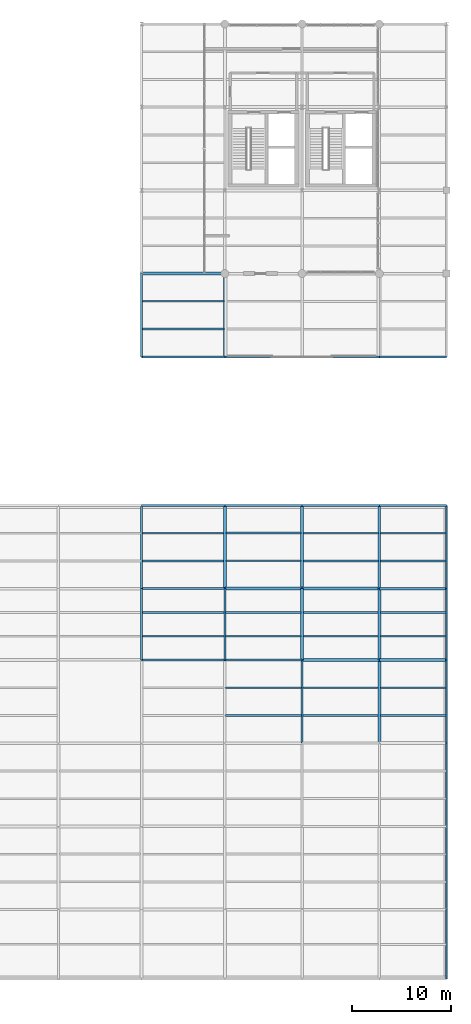
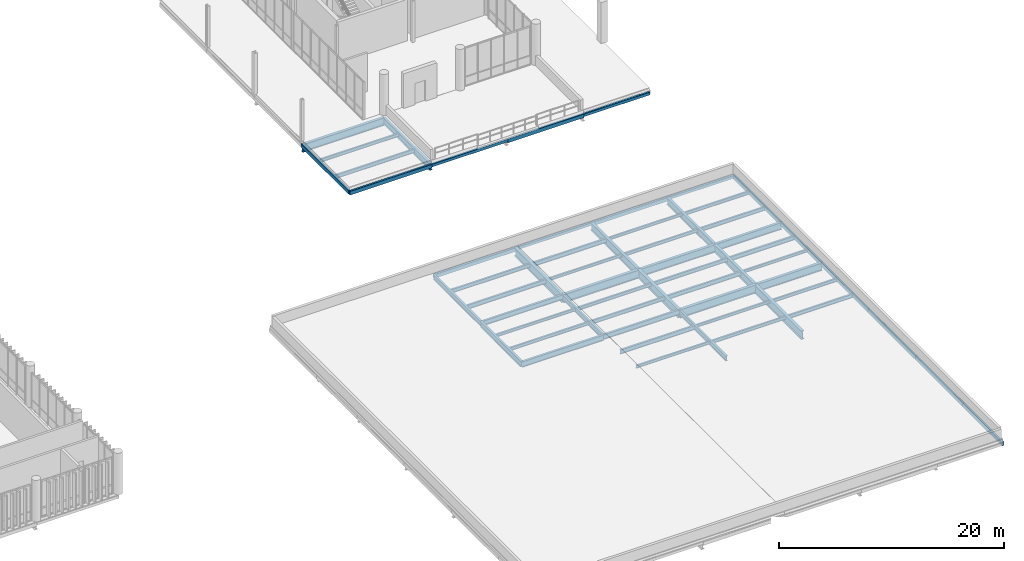
# One storey, part 36 of 68: 59 beams.
"""IFC4 building model written with IfcOpenShell, lengths in metres."""

import ifcopenshell
import ifcopenshell.guid

model = None  # the IFC model being written
_history = None  # IfcOwnerHistory: only IFC2X3 demands one
_inside = {}  # id of a spatial element -> (the spatial element, [elements in it])
_under = {}  # id of a project, library or spatial element -> (it, [spatial elements below it])
_declared = {}  # id of a project -> (the project, [libraries it declares])
_typed = {}  # id of a type object -> (the type object, [elements of that type])
_made_of = {}  # id of a material, layer set ... -> (it, [elements and type objects made of it])


def new_model(schema):
    """Start an empty IFC model of exactly this schema.

    Asked for "IFC4X3", IfcOpenShell would pick the latest addendum, in which some entities
    have other attributes; the version numbers below select the first issue.
    IFC2X3 requires an IfcOwnerHistory on every rooted entity: one is made here for all.
    """
    global model, _history
    if schema == "IFC4X3":
        model = ifcopenshell.file(schema_version=(4, 3, 0, 0))
    else:
        model = ifcopenshell.file(schema=schema)
    _inside.clear()
    _under.clear()
    _declared.clear()
    _typed.clear()
    _made_of.clear()
    _history = None
    if model.schema == "IFC2X3":
        org = make("IfcOrganization", Name="unknown")
        user = make(
            "IfcPersonAndOrganization",
            ThePerson=make("IfcPerson", FamilyName="unknown"),
            TheOrganization=org,
        )
        app = make(
            "IfcApplication",
            ApplicationDeveloper=org,
            Version="unknown",
            ApplicationFullName="unknown",
            ApplicationIdentifier="unknown",
        )
        _history = make(
            "IfcOwnerHistory",
            OwningUser=user,
            OwningApplication=app,
            ChangeAction="ADDED",
            CreationDate=0,
        )
    return model


def make(cls, **values):
    """One entity of the class cls with the attributes given. An attribute that is None is left unset."""
    return model.create_entity(
        cls, **{name: value for name, value in values.items() if value is not None}
    )


def rooted(cls, **values):
    """An entity with a GlobalId (a new one), such as an element, a storey or a relation."""
    return make(cls, GlobalId=ifcopenshell.guid.new(), OwnerHistory=_history, **values)


def si_unit(unit_type, name, prefix=None):
    """IfcSIUnit, for example si_unit("LENGTHUNIT", "METRE", prefix="MILLI")."""
    return make("IfcSIUnit", UnitType=unit_type, Prefix=prefix, Name=name)


def assignment(units):
    """IfcUnitAssignment: the units of a project."""
    return None if units is None else make("IfcUnitAssignment", Units=units)


def point(xyz):
    """IfcCartesianPoint."""
    return None if xyz is None else make("IfcCartesianPoint", Coordinates=xyz)


def direction(xyz):
    """IfcDirection."""
    return None if xyz is None else make("IfcDirection", DirectionRatios=xyz)


def frame(location, z_axis=None, x_axis=None):
    """IfcAxis2Placement3D, a coordinate frame: its origin and axes. An axis left out is left unset."""
    return make(
        "IfcAxis2Placement3D",
        Location=point(location),
        Axis=direction(z_axis),
        RefDirection=direction(x_axis),
    )


def frame_2d(location, x_axis=None):
    """IfcAxis2Placement2D, a coordinate frame in the plane: its origin and x axis."""
    return make(
        "IfcAxis2Placement2D", Location=point(location), RefDirection=direction(x_axis)
    )


def origin_with_axes():
    """The frame at (0, 0, 0) with the z axis (0, 0, 1) and the x axis (1, 0, 0) written out."""
    return frame((0.0, 0.0, 0.0), z_axis=(0.0, 0.0, 1.0), x_axis=(1.0, 0.0, 0.0))


def origin_2d_with_axis():
    """The frame at (0, 0) in the plane with the x axis (1, 0) written out."""
    return frame_2d((0.0, 0.0), x_axis=(1.0, 0.0))


def place(relative_to, where):
    """IfcLocalPlacement: puts the frame where relative to a parent placement (None: the world)."""
    return make(
        "IfcLocalPlacement", PlacementRelTo=relative_to, RelativePlacement=where
    )


def context(
    kind, dimensions, precision=None, world=None, true_north=None, identifier=None
):
    """IfcGeometricRepresentationContext, for example the 3D "Model" context."""
    return make(
        "IfcGeometricRepresentationContext",
        ContextIdentifier=identifier,
        ContextType=kind,
        CoordinateSpaceDimension=dimensions,
        Precision=precision,
        WorldCoordinateSystem=world,
        TrueNorth=true_north,
    )


def subcontext(parent, identifier, kind, view, scale=None):
    """IfcGeometricRepresentationSubContext, for example "Body" below "Model"."""
    return make(
        "IfcGeometricRepresentationSubContext",
        ContextIdentifier=identifier,
        ContextType=kind,
        ParentContext=parent,
        TargetScale=scale,
        TargetView=view,
    )


def project(units=None, contexts=None):
    """IfcProject with its units and contexts."""
    return rooted(
        "IfcProject",
        Name="project",
        RepresentationContexts=contexts,
        UnitsInContext=assignment(units),
    )


def spatial(cls, under=None, at=None, **own):
    """A site, building, storey or space (cls), placed at a placement, below another one or the project."""
    s = rooted(cls, ObjectPlacement=at, **own)
    if under is not None:
        _under.setdefault(under.id(), (under, []))[1].append(s)
    return s


def profile(cls, at=None, kind="AREA", **sizes):
    """A parametric profile (cls). Its sizes go by their IFC names, for example OverallWidth=200.0."""
    return make(cls, ProfileType=kind, Position=at, **sizes)


def hollow_rectangle(**sizes):
    """IfcRectangleHollowProfileDef."""
    return profile("IfcRectangleHollowProfileDef", **sizes)


def i_section(**sizes):
    """IfcIShapeProfileDef."""
    return profile("IfcIShapeProfileDef", **sizes)


def extrude(swept, where, along, depth):
    """IfcExtrudedAreaSolid: the profile swept, set in the frame where, extruded along a direction by depth."""
    return make(
        "IfcExtrudedAreaSolid",
        SweptArea=swept,
        Position=where,
        ExtrudedDirection=direction(along),
        Depth=depth,
    )


def shape(context_of_items, identifier, shape_type, items):
    """IfcShapeRepresentation: the items that make up one representation, for example the "Body"."""
    return make(
        "IfcShapeRepresentation",
        ContextOfItems=context_of_items,
        RepresentationIdentifier=identifier,
        RepresentationType=shape_type,
        Items=items,
    )


def material(Name=None, Category=None):
    """IfcMaterial."""
    return make("IfcMaterial", Name=Name, Category=Category)


def material_profile(
    of_material, cross_section, Name=None, Category=None, Priority=None
):
    """IfcMaterialProfile: a cross section and its material."""
    return make(
        "IfcMaterialProfile",
        Name=Name,
        Material=of_material,
        Profile=cross_section,
        Priority=Priority,
        Category=Category,
    )


def profile_set(profiles, Name=None, composite=None):
    """IfcMaterialProfileSet."""
    return make(
        "IfcMaterialProfileSet",
        Name=Name,
        MaterialProfiles=profiles,
        CompositeProfile=composite,
    )


def made_of(thing, what):
    """Note that an element or type object is made of a material, layer set ...; save() writes the relation."""
    if what is not None:
        _made_of.setdefault(what.id(), (what, []))[1].append(thing)
    return thing


def type_object(cls, material=None, **own):
    """A type object (cls), such as IfcWallType, which elements share."""
    return made_of(rooted(cls, **own), material)


def element(
    cls,
    number,
    at=None,
    inside=None,
    cuts=None,
    type_object=None,
    material=None,
    context=None,
    identifier="Body",
    shape_type=None,
    held_by="IfcProductDefinitionShape",
    body=None,
    shapes=None,
    **own,
):
    """One element of the class cls, such as IfcWall. Its Tag is "e" and its number.

    at: its placement. inside: the storey or other place that contains it. cuts: it is an
    opening in that element (IfcRelVoidsElement). A single representation is given by context,
    identifier, shape_type and body (its items); several are given by shapes. held_by: the class
    of the entity that holds the representations. save() writes the other relations.
    """
    e = rooted(cls, Tag="e%d" % number, ObjectPlacement=at, **own)
    if body is not None:
        shapes = [shape(context, identifier, shape_type, body)]
    if shapes is not None:
        e.Representation = make(held_by, Representations=shapes)
    if inside is not None:
        _inside.setdefault(inside.id(), (inside, []))[1].append(e)
    if cuts is not None:
        rooted(
            "IfcRelVoidsElement", RelatingBuildingElement=cuts, RelatedOpeningElement=e
        )
    if type_object is not None:
        _typed.setdefault(type_object.id(), (type_object, []))[1].append(e)
    return made_of(e, material)


def aggregate(whole, parts):
    """IfcRelAggregates: a whole, such as a stair, and the parts it consists of."""
    return rooted("IfcRelAggregates", RelatingObject=whole, RelatedObjects=parts)


def save(model, path):
    """Write the relations noted so far, then the file.

    IfcRelAggregates (storeys below a building ...), IfcRelContainedInSpatialStructure (elements
    in a storey), IfcRelDefinesByType, IfcRelAssociatesMaterial and IfcRelDeclares: one each for
    every whole, place, type object, material and project.
    """
    for whole, parts in _under.values():
        aggregate(whole, parts)
    for where, things in _inside.values():
        rooted(
            "IfcRelContainedInSpatialStructure",
            RelatedElements=things,
            RelatingStructure=where,
        )
    for kind, things in _typed.values():
        rooted("IfcRelDefinesByType", RelatedObjects=things, RelatingType=kind)
    for what, things in _made_of.values():
        rooted("IfcRelAssociatesMaterial", RelatedObjects=things, RelatingMaterial=what)
    for by, libraries in _declared.values():
        rooted("IfcRelDeclares", RelatingContext=by, RelatedDefinitions=libraries)
    model.write(path)


model = new_model("IFC4")

# Units and contexts
model_context = context("Model", 3, precision=1e-05, world=origin_with_axes(), true_north=direction((0.0, 1.0)))
body_context = subcontext(model_context, "Body", "Model", "MODEL_VIEW")
ifc_project = project(units=[si_unit("LENGTHUNIT", "METRE"), si_unit("AREAUNIT", "SQUARE_METRE"), si_unit("VOLUMEUNIT", "CUBIC_METRE"), si_unit("PLANEANGLEUNIT", "RADIAN"), si_unit("MASSUNIT", "GRAM", prefix="KILO"), si_unit("THERMODYNAMICTEMPERATUREUNIT", "KELVIN")], contexts=[model_context])

# Site, building, storey
site_placement = place(None, origin_with_axes())
site = spatial("IfcSite", under=ifc_project, at=site_placement, CompositionType="ELEMENT")
building_placement = place(site_placement, origin_with_axes())
building = spatial("IfcBuilding", under=site, at=building_placement, Name="Montbau Bow Law Courts", CompositionType="ELEMENT")
storey_placement = place(building_placement, frame((0.0, 0.0, 20.4), z_axis=(0.0, 0.0, 1.0), x_axis=(1.0, 0.0, 0.0)))
storey = spatial("IfcBuildingStorey", under=building, at=storey_placement, Name="L04", CompositionType="ELEMENT", Elevation=20.4)

# Beams
ifc_material_1 = material(Name="Steel CSA G40.21 Grade 350W (350 MPa)", Category="steel")
ifc_material_profile_1 = material_profile(ifc_material_1, i_section(OverallWidth=0.306, OverallDepth=0.919, WebThickness=0.0173, FlangeThickness=0.0279, at=origin_2d_with_axis()), Name="W920X253", Category="Main", Priority=0)
ifc_profile_set_1 = profile_set([ifc_material_profile_1], Name="Steel CSA G40.21 Grade 350W (350 MPa)")
beam_type_1 = type_object("IfcBeamType", Name="B-FLR-01", PredefinedType="BEAM", material=ifc_profile_set_1)
for number, where, z_axis, x_axis, name in (
    (1, (154.8, 39.0, 19.651), (1.0, 0.0, 0.0), (0.0, 1.0, 0.0), "BM-L04-S1737:bm2_1740"),
    (2, (147.0, 46.2, 19.651), (1.0, 0.0, 0.0), (0.0, 1.0, 0.0), "BM-L04-S1742:bm2_1745"),
):
    element("IfcBeam", number, at=place(None, frame(where, z_axis=z_axis, x_axis=x_axis)), inside=storey, type_object=beam_type_1, Name=name, PredefinedType="BEAM", context=body_context, shape_type="SweptSolid", body=[
        extrude(i_section(OverallWidth=0.306, OverallDepth=0.919, WebThickness=0.0173, FlangeThickness=0.0279, at=origin_2d_with_axis()), origin_with_axes(), (0.0, 0.0, 1.0), 7.8),
    ])
beam_1_placement = place(None, frame((147.0, 46.2, 19.651), z_axis=(0.0, 1.0, 0.0), x_axis=(-1.0, 0.0, 0.0)))
element("IfcBeam", 3, at=beam_1_placement, inside=storey, type_object=beam_type_1, Name="BM-L04-S1774:bm2_1777", PredefinedType="BEAM", context=body_context, shape_type="SweptSolid", body=[
    extrude(i_section(OverallWidth=0.306, OverallDepth=0.919, WebThickness=0.0173, FlangeThickness=0.0279, at=origin_2d_with_axis()), origin_with_axes(), (0.0, 0.0, 1.0), 8.4),
])
beam_2_placement = place(None, frame((154.8, 39.0, 19.651), z_axis=(0.0, 1.0, 0.0), x_axis=(-1.0, 0.0, 0.0)))
element("IfcBeam", 4, at=beam_2_placement, inside=storey, type_object=beam_type_1, Name="BM-L04-S1779:bm2_1782", PredefinedType="BEAM", context=body_context, shape_type="SweptSolid", body=[
    extrude(i_section(OverallWidth=0.306, OverallDepth=0.919, WebThickness=0.0173, FlangeThickness=0.0279, at=origin_2d_with_axis()), origin_with_axes(), (0.0, 0.0, 1.0), 7.2),
])
beam_3_placement = place(None, frame((162.6, 30.6, 19.651), z_axis=(0.0, 1.0, 0.0), x_axis=(-1.0, 0.0, 0.0)))
element("IfcBeam", 5, at=beam_3_placement, inside=storey, type_object=beam_type_1, Name="BM-L04-S1784:bm2_1787", PredefinedType="BEAM", context=body_context, shape_type="SweptSolid", body=[
    extrude(i_section(OverallWidth=0.306, OverallDepth=0.919, WebThickness=0.0173, FlangeThickness=0.0279, at=origin_2d_with_axis()), origin_with_axes(), (0.0, 0.0, 1.0), 8.4),
])
ifc_material_profile_2 = material_profile(ifc_material_1, i_section(OverallWidth=0.293, OverallDepth=0.846, WebThickness=0.0154, FlangeThickness=0.0244, at=origin_2d_with_axis()), Name="W840X210", Category="Main", Priority=0)
ifc_profile_set_2 = profile_set([ifc_material_profile_2], Name="Steel CSA G40.21 Grade 350W (350 MPa)")
beam_type_2 = type_object("IfcBeamType", Name="B-FLR-02", PredefinedType="BEAM", material=ifc_profile_set_2)
beam_4_placement = place(None, frame((138.6, 78.0, 19.617), z_axis=(1.0, 0.0, 0.0), x_axis=(0.0, 1.0, 0.0)))
element("IfcBeam", 6, at=beam_4_placement, inside=storey, type_object=beam_type_2, Name="BM-L04-S1249:bm2_1252", PredefinedType="BEAM", context=body_context, shape_type="SweptSolid", body=[
    extrude(i_section(OverallWidth=0.293, OverallDepth=0.846, WebThickness=0.0154, FlangeThickness=0.0244, at=origin_2d_with_axis()), origin_with_axes(), (0.0, 0.0, 1.0), 8.4),
])
beam_5_placement = place(None, frame((162.6, 39.0, 19.687), z_axis=(1.0, 0.0, 0.0), x_axis=(0.0, 1.0, 0.0)))
element("IfcBeam", 7, at=beam_5_placement, inside=storey, type_object=beam_type_2, Name="BM-L04-S1738:bm2_1741", PredefinedType="BEAM", context=body_context, shape_type="SweptSolid", body=[
    extrude(i_section(OverallWidth=0.293, OverallDepth=0.846, WebThickness=0.0154, FlangeThickness=0.0244, at=origin_2d_with_axis()), origin_with_axes(), (0.0, 0.0, 1.0), 6.8),
])
beam_6_placement = place(None, frame((154.8, 46.2, 19.687), z_axis=(1.0, 0.0, 0.0), x_axis=(0.0, 1.0, 0.0)))
element("IfcBeam", 8, at=beam_6_placement, inside=storey, type_object=beam_type_2, Name="BM-L04-S1743:bm2_1746", PredefinedType="BEAM", context=body_context, shape_type="SweptSolid", body=[
    extrude(i_section(OverallWidth=0.293, OverallDepth=0.846, WebThickness=0.0154, FlangeThickness=0.0244, at=origin_2d_with_axis()), origin_with_axes(), (0.0, 0.0, 1.0), 7.8),
])
beam_7_placement = place(None, frame((154.8, 46.2, 19.687), z_axis=(0.0, 1.0, 0.0), x_axis=(-1.0, 0.0, 0.0)))
element("IfcBeam", 9, at=beam_7_placement, inside=storey, type_object=beam_type_2, Name="BM-L04-S1780:bm2_1783", PredefinedType="BEAM", context=body_context, shape_type="SweptSolid", body=[
    extrude(i_section(OverallWidth=0.293, OverallDepth=0.846, WebThickness=0.0154, FlangeThickness=0.0244, at=origin_2d_with_axis()), origin_with_axes(), (0.0, 0.0, 1.0), 8.4),
])
beam_8_placement = place(None, frame((162.6, 39.0, 19.687), z_axis=(0.0, 1.0, 0.0), x_axis=(-1.0, 0.0, 0.0)))
element("IfcBeam", 10, at=beam_8_placement, inside=storey, type_object=beam_type_2, Name="BM-L04-S1785:bm2_1788", PredefinedType="BEAM", context=body_context, shape_type="SweptSolid", body=[
    extrude(i_section(OverallWidth=0.293, OverallDepth=0.846, WebThickness=0.0154, FlangeThickness=0.0244, at=origin_2d_with_axis()), origin_with_axes(), (0.0, 0.0, 1.0), 7.2),
])
ifc_material_profile_3 = material_profile(ifc_material_1, i_section(OverallWidth=0.267, OverallDepth=0.766, WebThickness=0.0149, FlangeThickness=0.0236, at=origin_2d_with_axis()), Name="W760X185", Category="Main", Priority=0)
ifc_profile_set_3 = profile_set([ifc_material_profile_3], Name="Steel CSA G40.21 Grade 350W (350 MPa)")
beam_type_3 = type_object("IfcBeamType", Name="B-FLR-03", PredefinedType="BEAM", material=ifc_profile_set_3)
beam_9_placement = place(None, frame((162.6, 46.2, 19.727), z_axis=(1.0, 0.0, 0.0), x_axis=(0.0, 1.0, 0.0)))
element("IfcBeam", 11, at=beam_9_placement, inside=storey, type_object=beam_type_3, Name="BM-L04-S1744:bm2_1747", PredefinedType="BEAM", context=body_context, shape_type="SweptSolid", body=[
    extrude(i_section(OverallWidth=0.267, OverallDepth=0.766, WebThickness=0.0149, FlangeThickness=0.0236, at=origin_2d_with_axis()), origin_with_axes(), (0.0, 0.0, 1.0), 6.8),
])
beam_10_placement = place(None, frame((162.6, 46.2, 19.727), z_axis=(0.0, 1.0, 0.0), x_axis=(-1.0, 0.0, 0.0)))
element("IfcBeam", 12, at=beam_10_placement, inside=storey, type_object=beam_type_3, Name="BM-L04-S1786:bm2_1789", PredefinedType="BEAM", context=body_context, shape_type="SweptSolid", body=[
    extrude(i_section(OverallWidth=0.267, OverallDepth=0.766, WebThickness=0.0149, FlangeThickness=0.0236, at=origin_2d_with_axis()), origin_with_axes(), (0.0, 0.0, 1.0), 8.4),
])
ifc_material_profile_4 = material_profile(ifc_material_1, i_section(OverallWidth=0.254, OverallDepth=0.688, WebThickness=0.0131, FlangeThickness=0.0211, at=origin_2d_with_axis()), Name="W690X152", Category="Main", Priority=0)
ifc_profile_set_4 = profile_set([ifc_material_profile_4], Name="Steel CSA G40.21 Grade 350W (350 MPa)")
beam_type_4 = type_object("IfcBeamType", Name="B-FLR-04", PredefinedType="BEAM", material=ifc_profile_set_4)
beam_11_placement = place(None, frame((147.0, 69.6, 19.696), z_axis=(0.0, 1.0, 0.0), x_axis=(-1.0, 0.0, 0.0)))
element("IfcBeam", 13, at=beam_11_placement, inside=storey, type_object=beam_type_4, Name="BM-L04-S1269:bm2_1272", PredefinedType="BEAM", context=body_context, shape_type="SweptSolid", body=[
    extrude(i_section(OverallWidth=0.254, OverallDepth=0.688, WebThickness=0.0131, FlangeThickness=0.0211, at=origin_2d_with_axis()), origin_with_axes(), (0.0, 0.0, 1.0), 8.4),
])
ifc_material_profile_5 = material_profile(ifc_material_1, i_section(OverallWidth=0.229, OverallDepth=0.612, WebThickness=0.0119, FlangeThickness=0.0196, at=origin_2d_with_axis()), Name="W610X125", Category="Main", Priority=0)
ifc_profile_set_5 = profile_set([ifc_material_profile_5], Name="Steel CSA G40.21 Grade 350W (350 MPa)")
beam_type_5 = type_object("IfcBeamType", Name="B-FLR-05", PredefinedType="BEAM", material=ifc_profile_set_5)
beam_12_placement = place(None, frame((138.6, 39.0, 19.804), z_axis=(1.0, 0.0, 0.0), x_axis=(0.0, 1.0, 0.0)))
element("IfcBeam", 14, at=beam_12_placement, inside=storey, type_object=beam_type_5, Name="BM-L04-S1735:bm2_1738", PredefinedType="BEAM", context=body_context, shape_type="SweptSolid", body=[
    extrude(i_section(OverallWidth=0.229, OverallDepth=0.612, WebThickness=0.0119, FlangeThickness=0.0196, at=origin_2d_with_axis()), origin_with_axes(), (0.0, 0.0, 1.0), 8.4),
])
beam_13_placement = place(None, frame((138.6, 39.0, 19.844), z_axis=(0.0, 1.0, 0.0), x_axis=(-1.0, 0.0, 0.0)))
element("IfcBeam", 15, at=beam_13_placement, inside=storey, type_object=beam_type_5, Name="BM-L04-S1767:bm2_1770", PredefinedType="BEAM", context=body_context, shape_type="SweptSolid", body=[
    extrude(i_section(OverallWidth=0.229, OverallDepth=0.612, WebThickness=0.0119, FlangeThickness=0.0196, at=origin_2d_with_axis()), origin_with_axes(), (0.0, 0.0, 1.0), 7.2),
])
ifc_material_profile_6 = material_profile(ifc_material_1, i_section(OverallWidth=0.21, OverallDepth=0.537, WebThickness=0.0109, FlangeThickness=0.0174, at=origin_2d_with_axis()), Name="W530X101", Category="Main", Priority=0)
ifc_profile_set_6 = profile_set([ifc_material_profile_6], Name="Steel CSA G40.21 Grade 350W (350 MPa)")
beam_type_6 = type_object("IfcBeamType", Name="B-FLR-06", PredefinedType="BEAM", material=ifc_profile_set_6)
beam_14_placement = place(None, frame((147.0, 39.0, 19.841), z_axis=(1.0, 0.0, 0.0), x_axis=(0.0, 1.0, 0.0)))
element("IfcBeam", 16, at=beam_14_placement, inside=storey, type_object=beam_type_6, Name="BM-L04-S1736:bm2_1739", PredefinedType="BEAM", context=body_context, shape_type="SweptSolid", body=[
    extrude(i_section(OverallWidth=0.21, OverallDepth=0.537, WebThickness=0.0109, FlangeThickness=0.0174, at=origin_2d_with_axis()), origin_with_axes(), (0.0, 0.0, 1.0), 7.8),
])
for number, where, z_axis, x_axis, name in (
    (17, (138.6, 46.2, 19.841), (1.0, 0.0, 0.0), (0.0, 1.0, 0.0), "BM-L04-S1741:bm2_1744"),
    (18, (138.6, 46.2, 19.881), (0.0, 1.0, 0.0), (-1.0, 0.0, 0.0), "BM-L04-S1768:bm2_1771"),
):
    element("IfcBeam", number, at=place(None, frame(where, z_axis=z_axis, x_axis=x_axis)), inside=storey, type_object=beam_type_6, Name=name, PredefinedType="BEAM", context=body_context, shape_type="SweptSolid", body=[
        extrude(i_section(OverallWidth=0.21, OverallDepth=0.537, WebThickness=0.0109, FlangeThickness=0.0174, at=origin_2d_with_axis()), origin_with_axes(), (0.0, 0.0, 1.0), 8.4),
    ])
beam_15_placement = place(None, frame((147.0, 39.0, 19.841), z_axis=(0.0, 1.0, 0.0), x_axis=(-1.0, 0.0, 0.0)))
element("IfcBeam", 19, at=beam_15_placement, inside=storey, type_object=beam_type_6, Name="BM-L04-S1773:bm2_1776", PredefinedType="BEAM", context=body_context, shape_type="SweptSolid", body=[
    extrude(i_section(OverallWidth=0.21, OverallDepth=0.537, WebThickness=0.0109, FlangeThickness=0.0174, at=origin_2d_with_axis()), origin_with_axes(), (0.0, 0.0, 1.0), 7.2),
])
beam_16_placement = place(None, frame((154.8, 30.6, 19.841), z_axis=(0.0, 1.0, 0.0), x_axis=(-1.0, 0.0, 0.0)))
element("IfcBeam", 20, at=beam_16_placement, inside=storey, type_object=beam_type_6, Name="BM-L04-S1778:bm2_1781", PredefinedType="BEAM", context=body_context, shape_type="SweptSolid", body=[
    extrude(i_section(OverallWidth=0.21, OverallDepth=0.537, WebThickness=0.0109, FlangeThickness=0.0174, at=origin_2d_with_axis()), origin_with_axes(), (0.0, 0.0, 1.0), 8.4),
])
ifc_material_profile_7 = material_profile(ifc_material_1, i_section(OverallWidth=0.191, OverallDepth=0.46, WebThickness=0.0099, FlangeThickness=0.016, at=origin_2d_with_axis()), Name="W460X82", Category="Main", Priority=0)
ifc_profile_set_7 = profile_set([ifc_material_profile_7], Name="Steel CSA G40.21 Grade 350W (350 MPa)")
beam_type_7 = type_object("IfcBeamType", Name="B-JST-01", PredefinedType="JOIST", material=ifc_profile_set_7)
beam_17_placement = place(None, frame((138.681, 49.0, 19.88), z_axis=(1.0, 0.0, 0.0), x_axis=(0.0, 1.0, 0.0)))
element("IfcBeam", 21, at=beam_17_placement, inside=storey, type_object=beam_type_7, Name="JST-L04-S1040:jst2_1040", PredefinedType="JOIST", context=body_context, shape_type="SweptSolid", body=[
    extrude(i_section(OverallWidth=0.191, OverallDepth=0.46, WebThickness=0.0099, FlangeThickness=0.016, at=origin_2d_with_axis()), origin_with_axes(), (0.0, 0.0, 1.0), 8.19),
])
beam_18_placement = place(None, frame((147.09, 36.2, 19.88), z_axis=(1.0, 0.0, 0.0), x_axis=(0.0, 1.0, 0.0)))
element("IfcBeam", 22, at=beam_18_placement, inside=storey, type_object=beam_type_7, Name="JST-L04-S1048:jst2_1048", PredefinedType="JOIST", context=body_context, shape_type="SweptSolid", body=[
    extrude(i_section(OverallWidth=0.191, OverallDepth=0.46, WebThickness=0.0099, FlangeThickness=0.016, at=origin_2d_with_axis()), origin_with_axes(), (0.0, 0.0, 1.0), 7.629),
])
beam_19_placement = place(None, frame((147.129, 51.8, 19.88), z_axis=(1.0, 0.0, 0.0), x_axis=(0.0, 1.0, 0.0)))
element("IfcBeam", 23, at=beam_19_placement, inside=storey, type_object=beam_type_7, Name="JST-L04-S1052:jst2_1052", PredefinedType="JOIST", context=body_context, shape_type="SweptSolid", body=[
    extrude(i_section(OverallWidth=0.191, OverallDepth=0.46, WebThickness=0.0099, FlangeThickness=0.016, at=origin_2d_with_axis()), origin_with_axes(), (0.0, 0.0, 1.0), 7.549),
])
beam_20_placement = place(None, frame((154.929, 41.4, 19.88), z_axis=(1.0, 0.0, 0.0), x_axis=(0.0, 1.0, 0.0)))
element("IfcBeam", 24, at=beam_20_placement, inside=storey, type_object=beam_type_7, Name="JST-L04-S1060:jst2_1060", PredefinedType="JOIST", context=body_context, shape_type="SweptSolid", body=[
    extrude(i_section(OverallWidth=0.191, OverallDepth=0.46, WebThickness=0.0099, FlangeThickness=0.016, at=origin_2d_with_axis()), origin_with_axes(), (0.0, 0.0, 1.0), 7.548),
])
beam_21_placement = place(None, frame((162.722, 43.8, 19.88), z_axis=(1.0, 0.0, 0.0), x_axis=(0.0, 1.0, 0.0)))
element("IfcBeam", 25, at=beam_21_placement, inside=storey, type_object=beam_type_7, Name="JST-L04-S1072:jst2_1072", PredefinedType="JOIST", context=body_context, shape_type="SweptSolid", body=[
    extrude(i_section(OverallWidth=0.191, OverallDepth=0.46, WebThickness=0.0099, FlangeThickness=0.016, at=origin_2d_with_axis()), origin_with_axes(), (0.0, 0.0, 1.0), 6.598),
])
ifc_material_profile_8 = material_profile(ifc_material_1, i_section(OverallWidth=0.179, OverallDepth=0.41, WebThickness=0.0088, FlangeThickness=0.0144, at=origin_2d_with_axis()), Name="W410X67", Category="Main", Priority=0)
ifc_profile_set_8 = profile_set([ifc_material_profile_8], Name="Steel CSA G40.21 Grade 350W (350 MPa)")
beam_type_8 = type_object("IfcBeamType", Name="B-JST-02", PredefinedType="JOIST", material=ifc_profile_set_8)
beam_22_placement = place(None, frame((138.68, 72.4, 19.835), z_axis=(1.0, 0.0, 0.0), x_axis=(0.0, 1.0, 0.0)))
element("IfcBeam", 26, at=beam_22_placement, inside=storey, type_object=beam_type_8, Name="JST-L04-S0665:jst2_0665", PredefinedType="JOIST", context=body_context, shape_type="SweptSolid", body=[
    extrude(i_section(OverallWidth=0.179, OverallDepth=0.41, WebThickness=0.0088, FlangeThickness=0.0144, at=origin_2d_with_axis()), origin_with_axes(), (0.0, 0.0, 1.0), 8.217),
])
beam_23_placement = place(None, frame((138.681, 51.8, 19.905), z_axis=(1.0, 0.0, 0.0), x_axis=(0.0, 1.0, 0.0)))
element("IfcBeam", 27, at=beam_23_placement, inside=storey, type_object=beam_type_8, Name="JST-L04-S1041:jst2_1041", PredefinedType="JOIST", context=body_context, shape_type="SweptSolid", body=[
    extrude(i_section(OverallWidth=0.179, OverallDepth=0.41, WebThickness=0.0088, FlangeThickness=0.0144, at=origin_2d_with_axis()), origin_with_axes(), (0.0, 0.0, 1.0), 8.19),
])
beam_24_placement = place(None, frame((147.081, 41.4, 19.905), z_axis=(1.0, 0.0, 0.0), x_axis=(0.0, 1.0, 0.0)))
element("IfcBeam", 28, at=beam_24_placement, inside=storey, type_object=beam_type_8, Name="JST-L04-S1049:jst2_1049", PredefinedType="JOIST", context=body_context, shape_type="SweptSolid", body=[
    extrude(i_section(OverallWidth=0.179, OverallDepth=0.41, WebThickness=0.0088, FlangeThickness=0.0144, at=origin_2d_with_axis()), origin_with_axes(), (0.0, 0.0, 1.0), 7.59),
])
beam_25_placement = place(None, frame((154.929, 43.8, 19.905), z_axis=(1.0, 0.0, 0.0), x_axis=(0.0, 1.0, 0.0)))
element("IfcBeam", 29, at=beam_25_placement, inside=storey, type_object=beam_type_8, Name="JST-L04-S1061:jst2_1061", PredefinedType="JOIST", context=body_context, shape_type="SweptSolid", body=[
    extrude(i_section(OverallWidth=0.179, OverallDepth=0.41, WebThickness=0.0088, FlangeThickness=0.0144, at=origin_2d_with_axis()), origin_with_axes(), (0.0, 0.0, 1.0), 7.548),
])
beam_26_placement = place(None, frame((162.729, 33.4, 19.905), z_axis=(1.0, 0.0, 0.0), x_axis=(0.0, 1.0, 0.0)))
element("IfcBeam", 30, at=beam_26_placement, inside=storey, type_object=beam_type_8, Name="JST-L04-S1069:jst2_1069", PredefinedType="JOIST", context=body_context, shape_type="SweptSolid", body=[
    extrude(i_section(OverallWidth=0.179, OverallDepth=0.41, WebThickness=0.0088, FlangeThickness=0.0144, at=origin_2d_with_axis()), origin_with_axes(), (0.0, 0.0, 1.0), 6.591),
])
beam_27_placement = place(None, frame((162.709, 49.0, 19.905), z_axis=(1.0, 0.0, 0.0), x_axis=(0.0, 1.0, 0.0)))
element("IfcBeam", 31, at=beam_27_placement, inside=storey, type_object=beam_type_8, Name="JST-L04-S1073:jst2_1073", PredefinedType="JOIST", context=body_context, shape_type="SweptSolid", body=[
    extrude(i_section(OverallWidth=0.179, OverallDepth=0.41, WebThickness=0.0088, FlangeThickness=0.0144, at=origin_2d_with_axis()), origin_with_axes(), (0.0, 0.0, 1.0), 6.611),
])
ifc_material_profile_9 = material_profile(ifc_material_1, i_section(OverallWidth=0.172, OverallDepth=0.358, WebThickness=0.0079, FlangeThickness=0.0131, at=origin_2d_with_axis()), Name="W360X57", Category="Main", Priority=0)
ifc_profile_set_9 = profile_set([ifc_material_profile_9], Name="Steel CSA G40.21 Grade 350W (350 MPa)")
beam_type_9 = type_object("IfcBeamType", Name="B-JST-03", PredefinedType="JOIST", material=ifc_profile_set_9)
beam_28_placement = place(None, frame((138.68, 75.2, 19.861), z_axis=(1.0, 0.0, 0.0), x_axis=(0.0, 1.0, 0.0)))
element("IfcBeam", 32, at=beam_28_placement, inside=storey, type_object=beam_type_9, Name="JST-L04-S0666:jst2_0666", PredefinedType="JOIST", context=body_context, shape_type="SweptSolid", body=[
    extrude(i_section(OverallWidth=0.172, OverallDepth=0.358, WebThickness=0.0079, FlangeThickness=0.0131, at=origin_2d_with_axis()), origin_with_axes(), (0.0, 0.0, 1.0), 8.217),
])
beam_29_placement = place(None, frame((138.69, 41.4, 19.931), z_axis=(1.0, 0.0, 0.0), x_axis=(0.0, 1.0, 0.0)))
element("IfcBeam", 33, at=beam_29_placement, inside=storey, type_object=beam_type_9, Name="JST-L04-S1038:jst2_1038", PredefinedType="JOIST", context=body_context, shape_type="SweptSolid", body=[
    extrude(i_section(OverallWidth=0.172, OverallDepth=0.358, WebThickness=0.0079, FlangeThickness=0.0131, at=origin_2d_with_axis()), origin_with_axes(), (0.0, 0.0, 1.0), 8.229),
])
for number, where, z_axis, x_axis, name in (
    (34, (147.081, 43.8, 19.931), (1.0, 0.0, 0.0), (0.0, 1.0, 0.0), "JST-L04-S1050:jst2_1050"),
    (35, (154.881, 33.4, 19.931), (1.0, 0.0, 0.0), (0.0, 1.0, 0.0), "JST-L04-S1058:jst2_1058"),
):
    element("IfcBeam", number, at=place(None, frame(where, z_axis=z_axis, x_axis=x_axis)), inside=storey, type_object=beam_type_9, Name=name, PredefinedType="JOIST", context=body_context, shape_type="SweptSolid", body=[
        extrude(i_section(OverallWidth=0.172, OverallDepth=0.358, WebThickness=0.0079, FlangeThickness=0.0131, at=origin_2d_with_axis()), origin_with_axes(), (0.0, 0.0, 1.0), 7.59),
    ])
beam_30_placement = place(None, frame((154.923, 49.0, 19.931), z_axis=(1.0, 0.0, 0.0), x_axis=(0.0, 1.0, 0.0)))
element("IfcBeam", 36, at=beam_30_placement, inside=storey, type_object=beam_type_9, Name="JST-L04-S1062:jst2_1062", PredefinedType="JOIST", context=body_context, shape_type="SweptSolid", body=[
    extrude(i_section(OverallWidth=0.172, OverallDepth=0.358, WebThickness=0.0079, FlangeThickness=0.0131, at=origin_2d_with_axis()), origin_with_axes(), (0.0, 0.0, 1.0), 7.567),
])
beam_31_placement = place(None, frame((162.729, 36.2, 19.931), z_axis=(1.0, 0.0, 0.0), x_axis=(0.0, 1.0, 0.0)))
element("IfcBeam", 37, at=beam_31_placement, inside=storey, type_object=beam_type_9, Name="JST-L04-S1070:jst2_1070", PredefinedType="JOIST", context=body_context, shape_type="SweptSolid", body=[
    extrude(i_section(OverallWidth=0.172, OverallDepth=0.358, WebThickness=0.0079, FlangeThickness=0.0131, at=origin_2d_with_axis()), origin_with_axes(), (0.0, 0.0, 1.0), 6.591),
])
beam_32_placement = place(None, frame((162.709, 51.8, 19.931), z_axis=(1.0, 0.0, 0.0), x_axis=(0.0, 1.0, 0.0)))
element("IfcBeam", 38, at=beam_32_placement, inside=storey, type_object=beam_type_9, Name="JST-L04-S1074:jst2_1074", PredefinedType="JOIST", context=body_context, shape_type="SweptSolid", body=[
    extrude(i_section(OverallWidth=0.172, OverallDepth=0.358, WebThickness=0.0079, FlangeThickness=0.0131, at=origin_2d_with_axis()), origin_with_axes(), (0.0, 0.0, 1.0), 6.611),
])
ifc_material_profile_10 = material_profile(ifc_material_1, i_section(OverallWidth=0.166, OverallDepth=0.313, WebThickness=0.0066, FlangeThickness=0.0112, at=origin_2d_with_axis()), Name="W310X45", Category="Main", Priority=0)
ifc_profile_set_10 = profile_set([ifc_material_profile_10], Name="Steel CSA G40.21 Grade 350W (350 MPa)")
beam_type_10 = type_object("IfcBeamType", Name="B-JST-04", PredefinedType="JOIST", material=ifc_profile_set_10)
beam_33_placement = place(None, frame((138.69, 43.8, 19.953), z_axis=(1.0, 0.0, 0.0), x_axis=(0.0, 1.0, 0.0)))
element("IfcBeam", 39, at=beam_33_placement, inside=storey, type_object=beam_type_10, Name="JST-L04-S1039:jst2_1039", PredefinedType="JOIST", context=body_context, shape_type="SweptSolid", body=[
    extrude(i_section(OverallWidth=0.166, OverallDepth=0.313, WebThickness=0.0066, FlangeThickness=0.0112, at=origin_2d_with_axis()), origin_with_axes(), (0.0, 0.0, 1.0), 8.229),
])
beam_34_placement = place(None, frame((147.09, 33.4, 19.953), z_axis=(1.0, 0.0, 0.0), x_axis=(0.0, 1.0, 0.0)))
element("IfcBeam", 40, at=beam_34_placement, inside=storey, type_object=beam_type_10, Name="JST-L04-S1047:jst2_1047", PredefinedType="JOIST", context=body_context, shape_type="SweptSolid", body=[
    extrude(i_section(OverallWidth=0.166, OverallDepth=0.313, WebThickness=0.0066, FlangeThickness=0.0112, at=origin_2d_with_axis()), origin_with_axes(), (0.0, 0.0, 1.0), 7.629),
])
beam_35_placement = place(None, frame((147.129, 49.0, 19.953), z_axis=(1.0, 0.0, 0.0), x_axis=(0.0, 1.0, 0.0)))
element("IfcBeam", 41, at=beam_35_placement, inside=storey, type_object=beam_type_10, Name="JST-L04-S1051:jst2_1051", PredefinedType="JOIST", context=body_context, shape_type="SweptSolid", body=[
    extrude(i_section(OverallWidth=0.166, OverallDepth=0.313, WebThickness=0.0066, FlangeThickness=0.0112, at=origin_2d_with_axis()), origin_with_axes(), (0.0, 0.0, 1.0), 7.549),
])
beam_36_placement = place(None, frame((154.881, 36.2, 19.953), z_axis=(1.0, 0.0, 0.0), x_axis=(0.0, 1.0, 0.0)))
element("IfcBeam", 42, at=beam_36_placement, inside=storey, type_object=beam_type_10, Name="JST-L04-S1059:jst2_1059", PredefinedType="JOIST", context=body_context, shape_type="SweptSolid", body=[
    extrude(i_section(OverallWidth=0.166, OverallDepth=0.313, WebThickness=0.0066, FlangeThickness=0.0112, at=origin_2d_with_axis()), origin_with_axes(), (0.0, 0.0, 1.0), 7.59),
])
beam_37_placement = place(None, frame((154.923, 51.8, 19.953), z_axis=(1.0, 0.0, 0.0), x_axis=(0.0, 1.0, 0.0)))
element("IfcBeam", 43, at=beam_37_placement, inside=storey, type_object=beam_type_10, Name="JST-L04-S1063:jst2_1063", PredefinedType="JOIST", context=body_context, shape_type="SweptSolid", body=[
    extrude(i_section(OverallWidth=0.166, OverallDepth=0.313, WebThickness=0.0066, FlangeThickness=0.0112, at=origin_2d_with_axis()), origin_with_axes(), (0.0, 0.0, 1.0), 7.567),
])
beam_38_placement = place(None, frame((162.722, 41.4, 19.953), z_axis=(1.0, 0.0, 0.0), x_axis=(0.0, 1.0, 0.0)))
element("IfcBeam", 44, at=beam_38_placement, inside=storey, type_object=beam_type_10, Name="JST-L04-S1071:jst2_1071", PredefinedType="JOIST", context=body_context, shape_type="SweptSolid", body=[
    extrude(i_section(OverallWidth=0.166, OverallDepth=0.313, WebThickness=0.0066, FlangeThickness=0.0112, at=origin_2d_with_axis()), origin_with_axes(), (0.0, 0.0, 1.0), 6.598),
])
ifc_material_2 = material(Name="Steel CSA G40.21 Grade 350WT (350 MPa)", Category="steel")
ifc_material_profile_11 = material_profile(ifc_material_2, hollow_rectangle(XDim=0.203, YDim=0.406, WallThickness=0.0127, InnerFilletRadius=0.0254, OuterFilletRadius=0.0127, at=origin_2d_with_axis()), Name="HSS406X203X13", Category="Main", Priority=0)
ifc_profile_set_11 = profile_set([ifc_material_profile_11], Name="Steel CSA G40.21 Grade 350WT (350 MPa)")
beam_type_11 = type_object("IfcBeamType", Name="B-SPN-01", PredefinedType="SPANDREL", material=ifc_profile_set_11)
beam_39_placement = place(None, frame((138.6, 69.6, 19.837), z_axis=(1.0, 0.0, 0.0), x_axis=(0.0, 1.0, 0.0)))
element("IfcBeam", 45, at=beam_39_placement, inside=storey, type_object=beam_type_11, Name="SPN-L04-S1245:bm2_1248", PredefinedType="SPANDREL", context=body_context, shape_type="SweptSolid", body=[
    extrude(hollow_rectangle(XDim=0.203, YDim=0.406, WallThickness=0.0127, InnerFilletRadius=0.0254, OuterFilletRadius=0.0127, at=origin_2d_with_axis()), origin_with_axes(), (0.0, 0.0, 1.0), 8.4),
])
beam_40_placement = place(None, frame((154.8, 69.6, 19.837), z_axis=(1.0, 0.0, 0.0), x_axis=(0.0, 1.0, 0.0)))
element("IfcBeam", 46, at=beam_40_placement, inside=storey, type_object=beam_type_11, Name="SPN-L04-S1247:bm2_1250", PredefinedType="SPANDREL", context=body_context, shape_type="SweptSolid", body=[
    extrude(hollow_rectangle(XDim=0.203, YDim=0.406, WallThickness=0.0127, InnerFilletRadius=0.0254, OuterFilletRadius=0.0127, at=origin_2d_with_axis()), origin_with_axes(), (0.0, 0.0, 1.0), 7.8),
])
for number, where, z_axis, x_axis, name in (
    (47, (138.6, 69.6, 19.907), (0.0, 1.0, 0.0), (-1.0, 0.0, 0.0), "SPN-L04-S1265:bm2_1268"),
    (48, (138.6, 54.6, 19.907), (1.0, 0.0, 0.0), (0.0, 1.0, 0.0), "SPN-L04-S1747:bm2_1750"),
):
    element("IfcBeam", number, at=place(None, frame(where, z_axis=z_axis, x_axis=x_axis)), inside=storey, type_object=beam_type_11, Name=name, PredefinedType="SPANDREL", context=body_context, shape_type="SweptSolid", body=[
        extrude(hollow_rectangle(XDim=0.203, YDim=0.406, WallThickness=0.0127, InnerFilletRadius=0.0254, OuterFilletRadius=0.0127, at=origin_2d_with_axis()), origin_with_axes(), (0.0, 0.0, 1.0), 8.4),
    ])
beam_41_placement = place(None, frame((154.8, 54.6, 19.907), z_axis=(1.0, 0.0, 0.0), x_axis=(0.0, 1.0, 0.0)))
element("IfcBeam", 49, at=beam_41_placement, inside=storey, type_object=beam_type_11, Name="SPN-L04-S1749:bm2_1752", PredefinedType="SPANDREL", context=body_context, shape_type="SweptSolid", body=[
    extrude(hollow_rectangle(XDim=0.203, YDim=0.406, WallThickness=0.0127, InnerFilletRadius=0.0254, OuterFilletRadius=0.0127, at=origin_2d_with_axis()), origin_with_axes(), (0.0, 0.0, 1.0), 7.8),
])
beam_42_placement = place(None, frame((169.4, 6.8, 19.907), z_axis=(0.0, 1.0, 0.0), x_axis=(-1.0, 0.0, 0.0)))
element("IfcBeam", 50, at=beam_42_placement, inside=storey, type_object=beam_type_11, Name="SPN-L04-S1787:bm2_1790", PredefinedType="SPANDREL", context=body_context, shape_type="SweptSolid", body=[
    extrude(hollow_rectangle(XDim=0.203, YDim=0.406, WallThickness=0.0127, InnerFilletRadius=0.0254, OuterFilletRadius=0.0127, at=origin_2d_with_axis()), origin_with_axes(), (0.0, 0.0, 1.0), 7.0),
])
for number, where, z_axis, x_axis, name in (
    (51, (169.4, 13.8, 19.907), (0.0, 1.0, 0.0), (-1.0, 0.0, 0.0), "SPN-L04-S1788:bm2_1791"),
    (52, (169.4, 22.2, 19.907), (0.0, 1.0, 0.0), (-1.0, 0.0, 0.0), "SPN-L04-S1789:bm2_1792"),
    (53, (169.4, 30.6, 19.907), (0.0, 1.0, 0.0), (-1.0, 0.0, 0.0), "SPN-L04-S1790:bm2_1793"),
):
    element("IfcBeam", number, at=place(None, frame(where, z_axis=z_axis, x_axis=x_axis)), inside=storey, type_object=beam_type_11, Name=name, PredefinedType="SPANDREL", context=body_context, shape_type="SweptSolid", body=[
        extrude(hollow_rectangle(XDim=0.203, YDim=0.406, WallThickness=0.0127, InnerFilletRadius=0.0254, OuterFilletRadius=0.0127, at=origin_2d_with_axis()), origin_with_axes(), (0.0, 0.0, 1.0), 8.4),
    ])
beam_43_placement = place(None, frame((169.4, 39.0, 19.907), z_axis=(0.0, 1.0, 0.0), x_axis=(-1.0, 0.0, 0.0)))
element("IfcBeam", 54, at=beam_43_placement, inside=storey, type_object=beam_type_11, Name="SPN-L04-S1791:bm2_1794", PredefinedType="SPANDREL", context=body_context, shape_type="SweptSolid", body=[
    extrude(hollow_rectangle(XDim=0.203, YDim=0.406, WallThickness=0.0127, InnerFilletRadius=0.0254, OuterFilletRadius=0.0127, at=origin_2d_with_axis()), origin_with_axes(), (0.0, 0.0, 1.0), 7.2),
])
beam_44_placement = place(None, frame((169.4, 46.2, 19.907), z_axis=(0.0, 1.0, 0.0), x_axis=(-1.0, 0.0, 0.0)))
element("IfcBeam", 55, at=beam_44_placement, inside=storey, type_object=beam_type_11, Name="SPN-L04-S1792:bm2_1795", PredefinedType="SPANDREL", context=body_context, shape_type="SweptSolid", body=[
    extrude(hollow_rectangle(XDim=0.203, YDim=0.406, WallThickness=0.0127, InnerFilletRadius=0.0254, OuterFilletRadius=0.0127, at=origin_2d_with_axis()), origin_with_axes(), (0.0, 0.0, 1.0), 8.4),
])
ifc_material_profile_12 = material_profile(ifc_material_2, hollow_rectangle(XDim=0.203, YDim=0.305, WallThickness=0.0127, InnerFilletRadius=0.0254, OuterFilletRadius=0.0127, at=origin_2d_with_axis()), Name="HSS305X203X13", Category="Main", Priority=0)
ifc_profile_set_12 = profile_set([ifc_material_profile_12], Name="Steel CSA G40.21 Grade 350WT (350 MPa)")
beam_type_12 = type_object("IfcBeamType", Name="B-SPN-02", PredefinedType="SPANDREL", material=ifc_profile_set_12)
beam_45_placement = place(None, frame((147.0, 69.6, 19.887), z_axis=(1.0, 0.0, 0.0), x_axis=(0.0, 1.0, 0.0)))
element("IfcBeam", 56, at=beam_45_placement, inside=storey, type_object=beam_type_12, Name="SPN-L04-S1246:bm2_1249", PredefinedType="SPANDREL", context=body_context, shape_type="SweptSolid", body=[
    extrude(hollow_rectangle(XDim=0.203, YDim=0.305, WallThickness=0.0127, InnerFilletRadius=0.0254, OuterFilletRadius=0.0127, at=origin_2d_with_axis()), origin_with_axes(), (0.0, 0.0, 1.0), 7.8),
])
beam_46_placement = place(None, frame((162.6, 69.6, 19.887), z_axis=(1.0, 0.0, 0.0), x_axis=(0.0, 1.0, 0.0)))
element("IfcBeam", 57, at=beam_46_placement, inside=storey, type_object=beam_type_12, Name="SPN-L04-S1248:bm2_1251", PredefinedType="SPANDREL", context=body_context, shape_type="SweptSolid", body=[
    extrude(hollow_rectangle(XDim=0.203, YDim=0.305, WallThickness=0.0127, InnerFilletRadius=0.0254, OuterFilletRadius=0.0127, at=origin_2d_with_axis()), origin_with_axes(), (0.0, 0.0, 1.0), 6.8),
])
beam_47_placement = place(None, frame((147.0, 54.6, 19.957), z_axis=(1.0, 0.0, 0.0), x_axis=(0.0, 1.0, 0.0)))
element("IfcBeam", 58, at=beam_47_placement, inside=storey, type_object=beam_type_12, Name="SPN-L04-S1748:bm2_1751", PredefinedType="SPANDREL", context=body_context, shape_type="SweptSolid", body=[
    extrude(hollow_rectangle(XDim=0.203, YDim=0.305, WallThickness=0.0127, InnerFilletRadius=0.0254, OuterFilletRadius=0.0127, at=origin_2d_with_axis()), origin_with_axes(), (0.0, 0.0, 1.0), 7.8),
])
beam_48_placement = place(None, frame((162.6, 54.6, 19.957), z_axis=(1.0, 0.0, 0.0), x_axis=(0.0, 1.0, 0.0)))
element("IfcBeam", 59, at=beam_48_placement, inside=storey, type_object=beam_type_12, Name="SPN-L04-S1750:bm2_1753", PredefinedType="SPANDREL", context=body_context, shape_type="SweptSolid", body=[
    extrude(hollow_rectangle(XDim=0.203, YDim=0.305, WallThickness=0.0127, InnerFilletRadius=0.0254, OuterFilletRadius=0.0127, at=origin_2d_with_axis()), origin_with_axes(), (0.0, 0.0, 1.0), 6.8),
])

save(model, "model.ifc")
